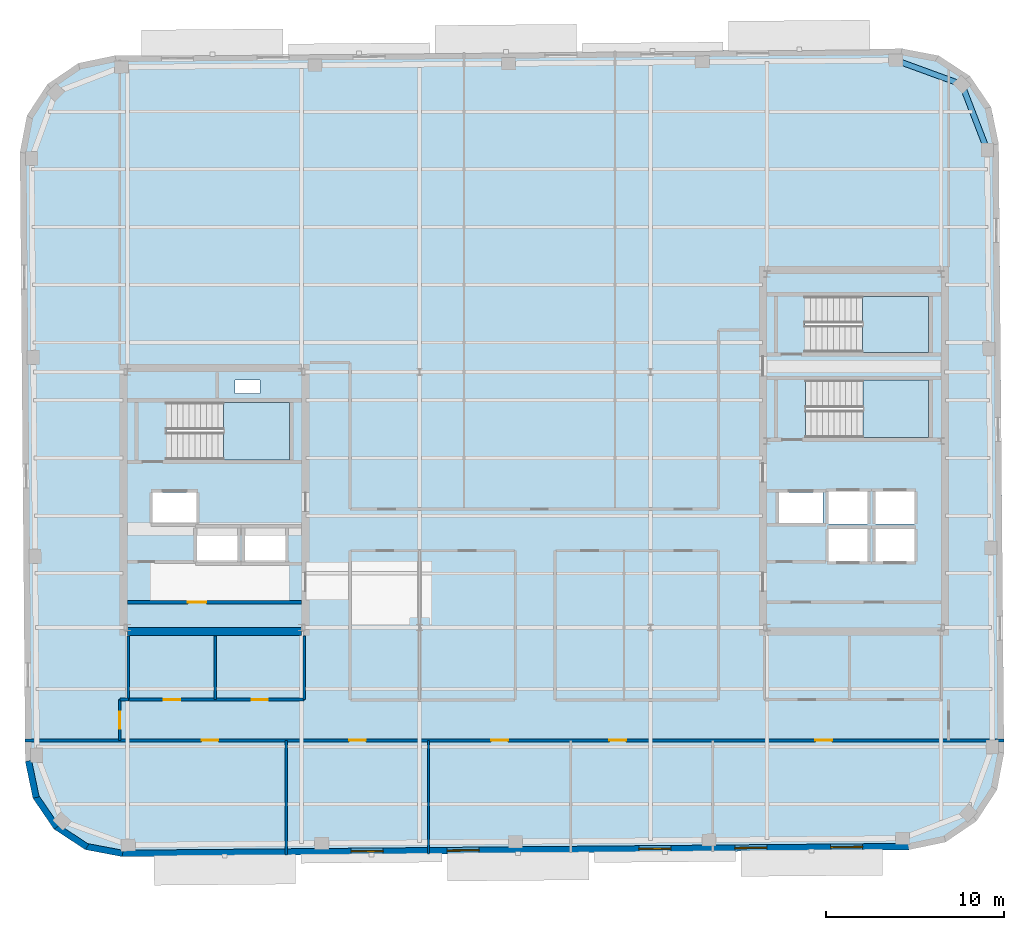
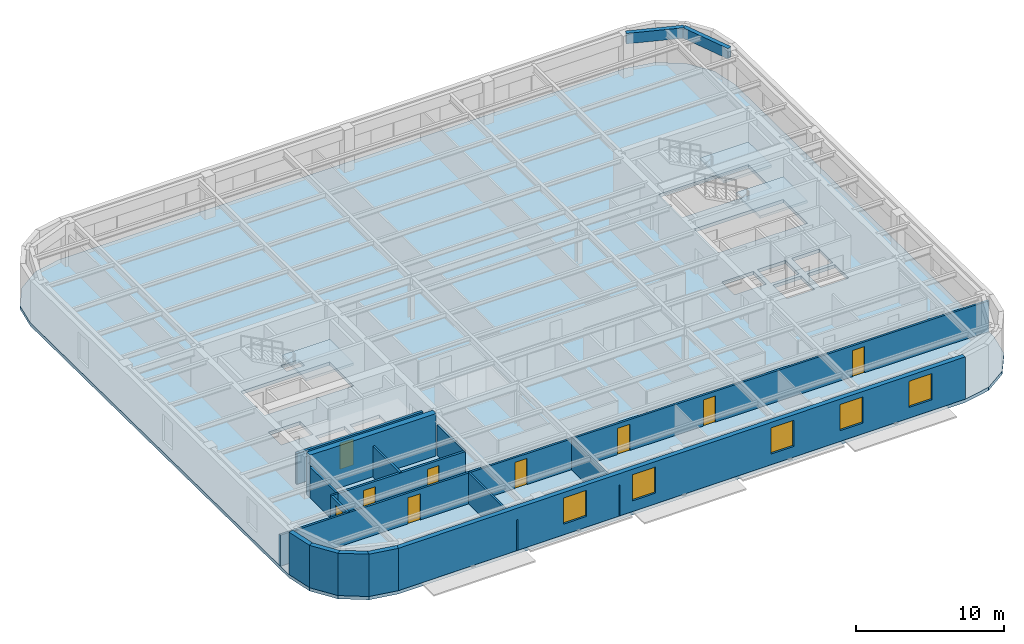
# One storey, part 6 of 13: 16 walls, 9 doors, 5 windows, 4 slabs, 2 beams, 14 openings, 3 elements without a shape of their own.
"""IFC4 building model written with IfcOpenShell, lengths in metres."""

from ifc_helpers import new_model, si_unit, direction, frame, frame_2d, origin, origin_2d, place, context, subcontext, project, spatial, polyline, rectangle, hollow_rectangle, outline, extrude, material, layer, layer_set, material_profile, profile_set, type_object, element, fill, aggregate, save


model = new_model("IFC4")

# Units and contexts
model_context = context("Model", 3, precision=1e-05, world=origin(), true_north=direction((0.0, 1.0)))
body_context = subcontext(model_context, "Body", "Model", "MODEL_VIEW")
ifc_project = project(units=[si_unit("LENGTHUNIT", "METRE"), si_unit("AREAUNIT", "SQUARE_METRE"), si_unit("VOLUMEUNIT", "CUBIC_METRE"), si_unit("PLANEANGLEUNIT", "RADIAN"), si_unit("MASSUNIT", "GRAM", prefix="KILO")], contexts=[model_context])

# Site, building, storey
site_placement = place(None, origin())
site = spatial("IfcSite", under=ifc_project, at=site_placement, CompositionType="ELEMENT")
building_placement = place(site_placement, origin())
building = spatial("IfcBuilding", under=site, at=building_placement, Name="Kolvaren Arena Tower", CompositionType="ELEMENT")
storey_placement = place(building_placement, frame((0.0, 0.0, 286.14990234375)))
storey = spatial("IfcBuildingStorey", under=building, at=storey_placement, Name="L70", CompositionType="ELEMENT", Elevation=286.14990234375)

# Beams
ifc_material_1 = material(Name="Steel CSA G40.21 350WT", Category="steel")
ifc_material_profile = material_profile(ifc_material_1, hollow_rectangle(XDim=0.320068359375, YDim=0.860107421875, WallThickness=0.01806640625, at=origin_2d()), Name="HSS 860x320x18")
ifc_profile_set = profile_set([ifc_material_profile], Name="Steel CSA G40.21 350WT")
beam_type = type_object("IfcBeamType", Name="SPAND-02", PredefinedType="SPANDREL", material=ifc_profile_set)
for number, where, z_axis, x_axis, name in (
    (1, (62.952392578125, 46.333984375, 3.050048828125), (-0.359383792094, 0.933189846698, 0.0), (-0.933189846698, -0.359383792094, 0.0), "Perimeter Spandrel Beam (L70)"),
    (2, (61.52880859375, 50.030517578125, 3.050048828125), (-0.939313819882, 0.343059102458, 0.0), (-0.343059102458, -0.939313819882, 0.0), "Perimeter Spandrel Beam (L70)"),
):
    element("IfcBeam", number, at=place(storey_placement, frame(where, z_axis=z_axis, x_axis=x_axis)), inside=storey, type_object=beam_type, Name=name, PredefinedType="SPANDREL", context=body_context, shape_type="SweptSolid", body=[
        extrude(hollow_rectangle(XDim=0.320068359375, YDim=0.860107421875, WallThickness=0.01806640625, at=origin_2d()), origin(), (0.0, 0.0, 1.0), 3.961181640625),
    ])

# Stair, slab
ifc_material_2 = material(Name="Concrete 45 MPa", Category="concrete")
stair_type_1 = type_object("IfcStairType", Name="STAIR-CORE-165", PredefinedType="HALF_TURN_STAIR", material=ifc_material_2)
stair_1_placement = place(storey_placement, origin())
stair_1 = element("IfcStair", 3, at=stair_1_placement, inside=storey, type_object=stair_type_1, Name="L70 ST-W1", PredefinedType="HALF_TURN_STAIR")
ifc_layer_1 = layer(ifc_material_2, 0.199951171875)
ifc_layer_set_1 = layer_set([ifc_layer_1], Name="Concrete 45 MPa")
slab_type_1 = type_object("IfcSlabType", Name="SLAB-LAND", PredefinedType="LANDING", material=ifc_layer_set_1)
slab_1_placement = place(storey_placement, frame((0.0, 0.0, 1.675048828125)))
slab_1 = element("IfcSlab", 4, at=slab_1_placement, type_object=slab_type_1, Name="ST-W1 landing 1", PredefinedType="LANDING", context=body_context, shape_type="SweptSolid", body=[
    extrude(outline(polyline([(19.9599609375, 28.89990234375), (23.659912109375, 28.89990234375), (23.659912109375, 32.1298828125), (19.9599609375, 32.1298828125), (19.9599609375, 28.89990234375)])), origin(), (0.0, 0.0, 1.0), 0.199951171875),
])
aggregate(stair_1, [slab_1])

stair_2_placement = place(storey_placement, origin())
stair_2 = element("IfcStair", 5, at=stair_2_placement, inside=storey, type_object=stair_type_1, Name="L70 ST-E1", PredefinedType="HALF_TURN_STAIR")
slab_2_placement = place(storey_placement, frame((0.0, 0.0, 1.675048828125)))
slab_2 = element("IfcSlab", 6, at=slab_2_placement, type_object=slab_type_1, Name="ST-E1 landing 1", PredefinedType="LANDING", context=body_context, shape_type="SweptSolid", body=[
    extrude(outline(polyline([(55.9599609375, 30.14990234375), (59.659912109375, 30.14990234375), (59.659912109375, 33.3798828125), (55.9599609375, 33.3798828125), (55.9599609375, 30.14990234375)])), origin(), (0.0, 0.0, 1.0), 0.199951171875),
])
aggregate(stair_2, [slab_2])

stair_type_2 = type_object("IfcStairType", Name="STAIR-CORE-150", PredefinedType="HALF_TURN_STAIR", material=ifc_material_2)
stair_3_placement = place(storey_placement, origin())
stair_3 = element("IfcStair", 7, at=stair_3_placement, inside=storey, type_object=stair_type_2, Name="L70 ST-E2", PredefinedType="HALF_TURN_STAIR")
slab_3_placement = place(storey_placement, frame((0.0, 0.0, 1.675048828125)))
slab_3 = element("IfcSlab", 8, at=slab_3_placement, type_object=slab_type_1, Name="ST-E2 landing 1", PredefinedType="LANDING", context=body_context, shape_type="SweptSolid", body=[
    extrude(outline(polyline([(55.919921875, 34.949951171875), (59.659912109375, 34.949951171875), (59.659912109375, 38.10009765625), (55.919921875, 38.10009765625), (55.919921875, 34.949951171875)])), origin(), (0.0, 0.0, 1.0), 0.199951171875),
])
aggregate(stair_3, [slab_3])

# Slab
ifc_layer_2 = layer(ifc_material_2, 0.27001953125)
ifc_layer_set_2 = layer_set([ifc_layer_2], Name="Concrete 45 MPa")
slab_type_2 = type_object("IfcSlabType", Name="SLAB-OFF2", PredefinedType="FLOOR", material=ifc_layer_set_2)
slab_4_placement = place(storey_placement, frame((0.0, 0.0, -0.27001953125)))
element("IfcSlab", 9, at=slab_4_placement, inside=storey, type_object=slab_type_2, Name="L70 Primary Structural Slab", PredefinedType="FLOOR", context=body_context, shape_type="SweptSolid", body=[
    extrude(outline(polyline([(58.5458984375, 6.944091796875), (60.60888671875, 7.373291015625), (62.350341796875, 8.55908203125), (63.505615234375, 10.321044921875), (63.898681640625, 12.39111328125), (63.599365234375, 46.689697265625), (63.170166015625, 48.752685546875), (61.984375, 50.494140625), (60.222412109375, 51.6494140625), (58.15234375, 52.04248046875), (13.85400390625, 51.65576171875), (11.791259765625, 51.226806640625), (10.049560546875, 50.041015625), (8.894287109375, 48.27880859375), (8.50146484375, 46.208984375), (8.80078125, 11.91015625), (9.229736328125, 9.847412109375), (10.41552734375, 8.105712890625), (12.177490234375, 6.95068359375), (14.24755859375, 6.5576171875), (58.5458984375, 6.944091796875)]), holes=[polyline([(20.739990234375, 23.135009765625), (18.4599609375, 23.135009765625), (18.4599609375, 25.06494140625), (20.739990234375, 25.06494140625), (20.739990234375, 23.135009765625)]), polyline([(21.159912109375, 23.135009765625), (21.159912109375, 25.06494140625), (23.43994140625, 25.06494140625), (23.43994140625, 23.135009765625), (21.159912109375, 23.135009765625)]), polyline([(56.2099609375, 23.18505859375), (54.030029296875, 23.18505859375), (54.030029296875, 25.014892578125), (56.2099609375, 25.014892578125), (56.2099609375, 23.18505859375)]), polyline([(56.669921875, 23.18505859375), (56.669921875, 25.014892578125), (58.85009765625, 25.014892578125), (58.85009765625, 23.18505859375), (56.669921875, 23.18505859375)]), polyline([(54.030029296875, 25.284912109375), (54.030029296875, 27.114990234375), (56.2099609375, 27.114990234375), (56.2099609375, 25.284912109375), (54.030029296875, 25.284912109375)]), polyline([(58.85009765625, 25.284912109375), (56.669921875, 25.284912109375), (56.669921875, 27.114990234375), (58.85009765625, 27.114990234375), (58.85009765625, 25.284912109375)]), polyline([(15.9599609375, 25.3349609375), (15.9599609375, 27.06494140625), (18.43994140625, 27.06494140625), (18.43994140625, 25.3349609375), (15.9599609375, 25.3349609375)]), polyline([(53.699951171875, 25.3349609375), (51.219970703125, 25.3349609375), (51.219970703125, 27.06494140625), (53.699951171875, 27.06494140625), (53.699951171875, 25.3349609375)]), polyline([(16.735107421875, 28.89990234375), (16.735107421875, 32.1298828125), (23.659912109375, 32.1298828125), (23.659912109375, 28.89990234375), (16.735107421875, 28.89990234375)]), polyline([(52.735107421875, 30.14990234375), (52.735107421875, 33.3798828125), (59.659912109375, 33.3798828125), (59.659912109375, 30.14990234375), (52.735107421875, 30.14990234375)]), polyline([(20.60009765625, 32.6201171875), (20.60009765625, 33.39990234375), (22.0, 33.39990234375), (22.0, 32.6201171875), (20.60009765625, 32.6201171875)]), polyline([(52.695068359375, 34.949951171875), (52.695068359375, 38.10009765625), (59.659912109375, 38.10009765625), (59.659912109375, 34.949951171875), (52.695068359375, 34.949951171875)])]), origin(), (0.0, 0.0, 1.0), 0.27001953125),
])

# Wall, openings, doors
ifc_material_3 = material(Name="Gypsum board acoustic assembly", Category="gypsum")
ifc_layer_3 = layer(ifc_material_3, 0.159912109375)
ifc_layer_set_3 = layer_set([ifc_layer_3], Name="Gypsum board acoustic assembly")
wall_type_1 = type_object("IfcWallType", Name="CORR-160", PredefinedType="PARTITIONING", material=ifc_layer_set_3)
wall_1_placement = place(storey_placement, frame((8.790283203125, 13.10009765625, 0.0), z_axis=(0.0, 0.0, 1.0), x_axis=(1.0, 0.0, 0.0)))
wall_1 = element("IfcWall", 10, at=wall_1_placement, inside=storey, type_object=wall_type_1, Name="Interior Partition Wall (L70)", PredefinedType="PARTITIONING", context=body_context, shape_type="SweptSolid", body=[
    extrude(rectangle(XDim=55.10205078125, YDim=0.159912109375, at=frame_2d((27.551025390625, 0.0))), origin(), (0.0, 0.0, 1.0), 2.5400390625),
])
opening_1_placement = place(wall_1_placement, frame((9.934814453125, 0.0, 0.0)))
opening_1 = element("IfcOpeningElement", 11, at=opening_1_placement, cuts=wall_1, Name="Opening D05", PredefinedType="OPENING", context=body_context, shape_type="SweptSolid", body=[
    extrude(rectangle(XDim=0.949951171875, YDim=2.14990234375, at=frame_2d((0.47509765625, 1.074951171875))), frame((0.0, 0.08984375, 0.0), z_axis=(0.0, -1.0, 0.0), x_axis=(1.0, 0.0, 0.0)), (0.0, 0.0, 1.0), 0.179931640625),
])
opening_2_placement = place(wall_1_placement, frame((18.234619140625, 0.0, 0.0)))
opening_2 = element("IfcOpeningElement", 12, at=opening_2_placement, cuts=wall_1, Name="Opening D05", PredefinedType="OPENING", context=body_context, shape_type="SweptSolid", body=[
    extrude(rectangle(XDim=0.949951171875, YDim=2.14990234375, at=frame_2d((0.47509765625, 1.074951171875))), frame((0.0, 0.08984375, 0.0), z_axis=(0.0, -1.0, 0.0), x_axis=(1.0, 0.0, 0.0)), (0.0, 0.0, 1.0), 0.179931640625),
])
opening_3_placement = place(wall_1_placement, frame((26.234619140625, 0.0, 0.0)))
opening_3 = element("IfcOpeningElement", 13, at=opening_3_placement, cuts=wall_1, Name="Opening D05", PredefinedType="OPENING", context=body_context, shape_type="SweptSolid", body=[
    extrude(rectangle(XDim=0.949951171875, YDim=2.14990234375, at=frame_2d((0.47509765625, 1.074951171875))), frame((0.0, 0.08984375, 0.0), z_axis=(0.0, -1.0, 0.0), x_axis=(1.0, 0.0, 0.0)), (0.0, 0.0, 1.0), 0.179931640625),
])
opening_4_placement = place(wall_1_placement, frame((32.884765625, 0.0, 0.0)))
opening_4 = element("IfcOpeningElement", 14, at=opening_4_placement, cuts=wall_1, Name="Opening D05", PredefinedType="OPENING", context=body_context, shape_type="SweptSolid", body=[
    extrude(rectangle(XDim=0.949951171875, YDim=2.14990234375, at=frame_2d((0.47509765625, 1.074951171875))), frame((0.0, 0.08984375, 0.0), z_axis=(0.0, -1.0, 0.0), x_axis=(1.0, 0.0, 0.0)), (0.0, 0.0, 1.0), 0.179931640625),
])
opening_5_placement = place(wall_1_placement, frame((44.484619140625, 0.0, 0.0)))
opening_5 = element("IfcOpeningElement", 15, at=opening_5_placement, cuts=wall_1, Name="Opening D05", PredefinedType="OPENING", context=body_context, shape_type="SweptSolid", body=[
    extrude(rectangle(XDim=0.949951171875, YDim=2.14990234375, at=frame_2d((0.47509765625, 1.074951171875))), frame((0.0, 0.08984375, 0.0), z_axis=(0.0, -1.0, 0.0), x_axis=(1.0, 0.0, 0.0)), (0.0, 0.0, 1.0), 0.179931640625),
])
ifc_material_4 = material(Name="Solid-core oak acoustic office door", Category="wood")
door_type_1 = type_object("IfcDoorType", Name="DOOR-OF-095", OperationType="NOTDEFINED", PredefinedType="DOOR", material=ifc_material_4)
door_1_placement = place(opening_1_placement, origin())
door_1 = element("IfcDoor", 16, at=door_1_placement, inside=storey, type_object=door_type_1, Name="Wellness Room Door (L70)", OperationType="SINGLE_SWING_RIGHT", OverallHeight=2.14990234375, OverallWidth=0.949951171875, PredefinedType="DOOR", context=body_context, shape_type="SweptSolid", body=[
    extrude(rectangle(XDim=0.949951171875, YDim=2.14990234375, at=frame_2d((0.47509765625, 1.074951171875))), frame((0.0, 0.02490234375, 0.0), z_axis=(0.0, -1.0, 0.0), x_axis=(1.0, 0.0, 0.0)), (0.0, 0.0, 1.0), 0.050048828125),
])
fill(opening_1, door_1)
door_2_placement = place(opening_2_placement, origin())
door_2 = element("IfcDoor", 17, at=door_2_placement, inside=storey, type_object=door_type_1, Name="Training Seminar Room Door (L70)", OperationType="SINGLE_SWING_LEFT", OverallHeight=2.14990234375, OverallWidth=0.949951171875, PredefinedType="DOOR", context=body_context, shape_type="SweptSolid", body=[
    extrude(rectangle(XDim=0.949951171875, YDim=2.14990234375, at=frame_2d((0.47509765625, 1.074951171875))), frame((0.0, 0.02490234375, 0.0), z_axis=(0.0, -1.0, 0.0), x_axis=(1.0, 0.0, 0.0)), (0.0, 0.0, 1.0), 0.050048828125),
])
fill(opening_2, door_2)
door_3_placement = place(opening_3_placement, origin())
door_3 = element("IfcDoor", 18, at=door_3_placement, inside=storey, type_object=door_type_1, Name="Open Plan Office Door (L70)", OperationType="SINGLE_SWING_RIGHT", OverallHeight=2.14990234375, OverallWidth=0.949951171875, PredefinedType="DOOR", context=body_context, shape_type="SweptSolid", body=[
    extrude(rectangle(XDim=0.949951171875, YDim=2.14990234375, at=frame_2d((0.47509765625, 1.074951171875))), frame((0.0, 0.02490234375, 0.0), z_axis=(0.0, -1.0, 0.0), x_axis=(1.0, 0.0, 0.0)), (0.0, 0.0, 1.0), 0.050048828125),
])
fill(opening_3, door_3)
door_4_placement = place(opening_4_placement, origin())
door_4 = element("IfcDoor", 19, at=door_4_placement, inside=storey, type_object=door_type_1, Name="Boardroom Door (L70)", OperationType="SINGLE_SWING_LEFT", OverallHeight=2.14990234375, OverallWidth=0.949951171875, PredefinedType="DOOR", context=body_context, shape_type="SweptSolid", body=[
    extrude(rectangle(XDim=0.949951171875, YDim=2.14990234375, at=frame_2d((0.47509765625, 1.074951171875))), frame((0.0, 0.02490234375, 0.0), z_axis=(0.0, -1.0, 0.0), x_axis=(1.0, 0.0, 0.0)), (0.0, 0.0, 1.0), 0.050048828125),
])
fill(opening_4, door_4)
door_5_placement = place(opening_5_placement, origin())
door_5 = element("IfcDoor", 20, at=door_5_placement, inside=storey, type_object=door_type_1, Name="Breakout Pantry and Kitchen Door (L70)", OperationType="SINGLE_SWING_RIGHT", OverallHeight=2.14990234375, OverallWidth=0.949951171875, PredefinedType="DOOR", context=body_context, shape_type="SweptSolid", body=[
    extrude(rectangle(XDim=0.949951171875, YDim=2.14990234375, at=frame_2d((0.47509765625, 1.074951171875))), frame((0.0, 0.02490234375, 0.0), z_axis=(0.0, -1.0, 0.0), x_axis=(1.0, 0.0, 0.0)), (0.0, 0.0, 1.0), 0.050048828125),
])
fill(opening_5, door_5)

# Wall, opening, door
wall_2_placement = place(storey_placement, frame((14.1201171875, 13.10009765625, 0.0), z_axis=(0.0, 0.0, 1.0), x_axis=(0.0, 1.0, 0.0)))
wall_2 = element("IfcWall", 21, at=wall_2_placement, inside=storey, type_object=wall_type_1, Name="Interior Partition Wall (L70)", PredefinedType="PARTITIONING", context=body_context, shape_type="SweptSolid", body=[
    extrude(rectangle(XDim=2.2998046875, YDim=0.159912109375, at=frame_2d((1.14990234375, 0.0))), origin(), (0.0, 0.0, 1.0), 2.5400390625),
])
opening_6_placement = place(wall_2_placement, frame((0.64990234375, 0.0, 0.0)))
opening_6 = element("IfcOpeningElement", 22, at=opening_6_placement, cuts=wall_2, Name="Opening D05", PredefinedType="OPENING", context=body_context, shape_type="SweptSolid", body=[
    extrude(rectangle(XDim=0.949951171875, YDim=2.14990234375, at=frame_2d((0.47509765625, 1.074951171875))), frame((0.0, 0.08984375, 0.0), z_axis=(0.0, -1.0, 0.0), x_axis=(1.0, 0.0, 0.0)), (0.0, 0.0, 1.0), 0.179931640625),
])
door_6_placement = place(opening_6_placement, origin())
door_6 = element("IfcDoor", 23, at=door_6_placement, inside=storey, type_object=door_type_1, Name="West Wing Office Door (L70)", OperationType="SINGLE_SWING_LEFT", OverallHeight=2.14990234375, OverallWidth=0.949951171875, PredefinedType="DOOR", context=body_context, shape_type="SweptSolid", body=[
    extrude(rectangle(XDim=0.949951171875, YDim=2.14990234375, at=frame_2d((0.47509765625, 1.074951171875))), frame((0.0, 0.02490234375, 0.0), z_axis=(0.0, -1.0, 0.0), x_axis=(1.0, 0.0, 0.0)), (0.0, 0.0, 1.0), 0.050048828125),
])
fill(opening_6, door_6)

# Walls
wall_3_placement = place(storey_placement, frame((14.1201171875, 15.39990234375, 0.0), z_axis=(0.0, 0.0, 1.0), x_axis=(1.0, 0.0, 0.0)))
element("IfcWall", 24, at=wall_3_placement, inside=storey, type_object=wall_type_1, Name="Interior Partition Wall (L70)", PredefinedType="PARTITIONING", context=body_context, shape_type="SweptSolid", body=[
    extrude(rectangle(XDim=0.5, YDim=0.159912109375, at=frame_2d((0.25, 0.0))), origin(), (0.0, 0.0, 1.0), 2.5400390625),
])
ifc_material_5 = material(Name="Concrete 55 MPa", Category="concrete")
ifc_layer_4 = layer(ifc_material_5, 0.449951171875)
ifc_layer_set_4 = layer_set([ifc_layer_4], Name="Concrete 55 MPa")
wall_type_2 = type_object("IfcWallType", Name="CWALL-450", PredefinedType="SHEAR", material=ifc_layer_set_4)
wall_4_placement = place(storey_placement, frame((14.550048828125, 19.22509765625, -0.27001953125), z_axis=(0.0, 0.0, 1.0), x_axis=(1.0, 0.0, 0.0)))
element("IfcWall", 25, at=wall_4_placement, inside=storey, type_object=wall_type_2, Name="Core Shear Wall WC-SOUTH (L70)", PredefinedType="SHEAR", context=body_context, shape_type="SweptSolid", body=[
    extrude(rectangle(XDim=9.800048828125, YDim=0.449951171875, at=frame_2d((4.89990234375, 0.0))), origin(), (0.0, 0.0, 1.0), 3.75),
])
ifc_material_6 = material(Name="Precast concrete C50/60", Category="concrete")
ifc_layer_5 = layer(ifc_material_6, 0.360107421875)
ifc_layer_set_5 = layer_set([ifc_layer_5], Name="Precast concrete C50/60")
wall_type_3 = type_object("IfcWallType", Name="EXT-PIER2", PredefinedType="SOLIDWALL", material=ifc_layer_set_5)
wall_5_placement = place(storey_placement, frame((9.406005859375, 9.884033203125, 0.0), z_axis=(0.0, 0.0, 1.0), x_axis=(-0.203685893209, 0.979036289883, 0.0)))
element("IfcWall", 26, at=wall_5_placement, inside=storey, type_object=wall_type_3, Name="Exterior Precast Masonry-Frame Wall (L70)", PredefinedType="SOLIDWALL", context=body_context, shape_type="SweptSolid", body=[
    extrude(rectangle(XDim=2.107177734375, YDim=0.360107421875, at=frame_2d((1.0537109375, 0.0))), origin(), (0.0, 0.0, 1.0), 3.47998046875),
])
for number, where, z_axis, x_axis, name in (
    (27, (10.564453125, 8.20703125, 0.0), (0.0, 0.0, 1.0), (-0.56277581689, 0.826609569219, 0.0), "Exterior Precast Masonry-Frame Wall (L70)"),
    (28, (12.2763671875, 7.10107421875, 0.0), (0.0, 0.0, 1.0), (-0.836268756678, 0.548319766745, 0.0), "Exterior Precast Masonry-Frame Wall (L70)"),
):
    element("IfcWall", number, at=place(storey_placement, frame(where, z_axis=z_axis, x_axis=x_axis)), inside=storey, type_object=wall_type_3, Name=name, PredefinedType="SOLIDWALL", context=body_context, shape_type="SweptSolid", body=[
        extrude(rectangle(XDim=2.10693359375, YDim=0.360107421875, at=frame_2d((1.053466796875, 0.0))), origin(), (0.0, 0.0, 1.0), 3.47998046875),
    ])
wall_6_placement = place(storey_placement, frame((14.28125, 6.734375, 0.0), z_axis=(0.0, 0.0, 1.0), x_axis=(-0.982445905584, 0.186547695246, 0.0)))
element("IfcWall", 29, at=wall_6_placement, inside=storey, type_object=wall_type_3, Name="Exterior Precast Masonry-Frame Wall (L70)", PredefinedType="SOLIDWALL", context=body_context, shape_type="SweptSolid", body=[
    extrude(rectangle(XDim=2.107177734375, YDim=0.360107421875, at=frame_2d((1.0537109375, 0.0))), origin(), (0.0, 0.0, 1.0), 3.47998046875),
])

# Wall, openings, windows
wall_7_placement = place(storey_placement, frame((58.544189453125, 7.124267578125, 0.0), z_axis=(0.0, 0.0, 1.0), x_axis=(-0.999961896442, -0.008729585516, 0.0)))
wall_7 = element("IfcWall", 30, at=wall_7_placement, inside=storey, type_object=wall_type_3, Name="Exterior Precast Masonry-Frame Wall (L70)", PredefinedType="SOLIDWALL", context=body_context, shape_type="SweptSolid", body=[
    extrude(rectangle(XDim=44.2998046875, YDim=0.360107421875, at=frame_2d((22.14990234375, 0.0))), origin(), (0.0, 0.0, 1.0), 3.47998046875),
])
opening_7_placement = place(wall_7_placement, frame((2.60009765625, 0.0, 0.8798828125)))
opening_7 = element("IfcOpeningElement", 31, at=opening_7_placement, cuts=wall_7, Name="Opening W02", PredefinedType="OPENING", context=body_context, shape_type="SweptSolid", body=[
    extrude(rectangle(XDim=1.800048828125, YDim=2.14990234375, at=frame_2d((0.89990234375, 1.074951171875))), frame((0.0, 0.18994140625, 0.0), z_axis=(0.0, -1.0, 0.0), x_axis=(1.0, 0.0, 0.0)), (0.0, 0.0, 1.0), 0.380126953125),
])
opening_8_placement = place(wall_7_placement, frame((8.0, 0.0, 0.8798828125)))
opening_8 = element("IfcOpeningElement", 32, at=opening_8_placement, cuts=wall_7, Name="Opening W02", PredefinedType="OPENING", context=body_context, shape_type="SweptSolid", body=[
    extrude(rectangle(XDim=1.800048828125, YDim=2.14990234375, at=frame_2d((0.89990234375, 1.074951171875))), frame((0.0, 0.18994140625, 0.0), z_axis=(0.0, -1.0, 0.0), x_axis=(1.0, 0.0, 0.0)), (0.0, 0.0, 1.0), 0.380126953125),
])
opening_9_placement = place(wall_7_placement, frame((13.39990234375, 0.0, 0.8798828125)))
opening_9 = element("IfcOpeningElement", 33, at=opening_9_placement, cuts=wall_7, Name="Opening W02", PredefinedType="OPENING", context=body_context, shape_type="SweptSolid", body=[
    extrude(rectangle(XDim=1.800048828125, YDim=2.14990234375, at=frame_2d((0.89990234375, 1.074951171875))), frame((0.0, 0.18994140625, 0.0), z_axis=(0.0, -1.0, 0.0), x_axis=(1.0, 0.0, 0.0)), (0.0, 0.0, 1.0), 0.380126953125),
])
opening_10_placement = place(wall_7_placement, frame((24.199951171875, 0.0, 0.8798828125)))
opening_10 = element("IfcOpeningElement", 34, at=opening_10_placement, cuts=wall_7, Name="Opening W02", PredefinedType="OPENING", context=body_context, shape_type="SweptSolid", body=[
    extrude(rectangle(XDim=1.800048828125, YDim=2.14990234375, at=frame_2d((0.89990234375, 1.074951171875))), frame((0.0, 0.18994140625, 0.0), z_axis=(0.0, -1.0, 0.0), x_axis=(1.0, 0.0, 0.0)), (0.0, 0.0, 1.0), 0.380126953125),
])
opening_11_placement = place(wall_7_placement, frame((29.60009765625, 0.0, 0.8798828125)))
opening_11 = element("IfcOpeningElement", 35, at=opening_11_placement, cuts=wall_7, Name="Opening W02", PredefinedType="OPENING", context=body_context, shape_type="SweptSolid", body=[
    extrude(rectangle(XDim=1.800048828125, YDim=2.14990234375, at=frame_2d((0.89990234375, 1.074951171875))), frame((0.0, 0.18994140625, 0.0), z_axis=(0.0, -1.0, 0.0), x_axis=(1.0, 0.0, 0.0)), (0.0, 0.0, 1.0), 0.380126953125),
])
ifc_material_7 = material(Name="Triple-glazed low-E aluminium window", Category="aluminium")
window_type = type_object("IfcWindowType", Name="WIN-OFF-B", PartitioningType="DOUBLE_PANEL_VERTICAL", PredefinedType="WINDOW", material=ifc_material_7)
window_1_placement = place(opening_7_placement, origin())
window_1 = element("IfcWindow", 36, at=window_1_placement, inside=storey, type_object=window_type, Name="Punched Precast-Pier Window (L70)", OverallHeight=2.14990234375, OverallWidth=1.800048828125, PartitioningType="DOUBLE_PANEL_VERTICAL", PredefinedType="WINDOW", context=body_context, shape_type="SweptSolid", body=[
    extrude(rectangle(XDim=1.800048828125, YDim=2.14990234375, at=frame_2d((0.89990234375, 1.074951171875))), frame((0.0, 0.030029296875, 0.0), z_axis=(0.0, -1.0, 0.0), x_axis=(1.0, 0.0, 0.0)), (0.0, 0.0, 1.0), 0.06005859375),
])
fill(opening_7, window_1)
window_2_placement = place(opening_8_placement, origin())
window_2 = element("IfcWindow", 37, at=window_2_placement, inside=storey, type_object=window_type, Name="Punched Precast-Pier Window (L70)", OverallHeight=2.14990234375, OverallWidth=1.800048828125, PartitioningType="DOUBLE_PANEL_VERTICAL", PredefinedType="WINDOW", context=body_context, shape_type="SweptSolid", body=[
    extrude(rectangle(XDim=1.800048828125, YDim=2.14990234375, at=frame_2d((0.89990234375, 1.074951171875))), frame((0.0, 0.030029296875, 0.0), z_axis=(0.0, -1.0, 0.0), x_axis=(1.0, 0.0, 0.0)), (0.0, 0.0, 1.0), 0.06005859375),
])
fill(opening_8, window_2)
window_3_placement = place(opening_9_placement, origin())
window_3 = element("IfcWindow", 38, at=window_3_placement, inside=storey, type_object=window_type, Name="Punched Precast-Pier Window (L70)", OverallHeight=2.14990234375, OverallWidth=1.800048828125, PartitioningType="DOUBLE_PANEL_VERTICAL", PredefinedType="WINDOW", context=body_context, shape_type="SweptSolid", body=[
    extrude(rectangle(XDim=1.800048828125, YDim=2.14990234375, at=frame_2d((0.89990234375, 1.074951171875))), frame((0.0, 0.030029296875, 0.0), z_axis=(0.0, -1.0, 0.0), x_axis=(1.0, 0.0, 0.0)), (0.0, 0.0, 1.0), 0.06005859375),
])
fill(opening_9, window_3)
window_4_placement = place(opening_10_placement, origin())
window_4 = element("IfcWindow", 39, at=window_4_placement, inside=storey, type_object=window_type, Name="Punched Precast-Pier Window (L70)", OverallHeight=2.14990234375, OverallWidth=1.800048828125, PartitioningType="DOUBLE_PANEL_VERTICAL", PredefinedType="WINDOW", context=body_context, shape_type="SweptSolid", body=[
    extrude(rectangle(XDim=1.800048828125, YDim=2.14990234375, at=frame_2d((0.89990234375, 1.074951171875))), frame((0.0, 0.030029296875, 0.0), z_axis=(0.0, -1.0, 0.0), x_axis=(1.0, 0.0, 0.0)), (0.0, 0.0, 1.0), 0.06005859375),
])
fill(opening_10, window_4)
window_5_placement = place(opening_11_placement, origin())
window_5 = element("IfcWindow", 40, at=window_5_placement, inside=storey, type_object=window_type, Name="Punched Precast-Pier Window (L70)", OverallHeight=2.14990234375, OverallWidth=1.800048828125, PartitioningType="DOUBLE_PANEL_VERTICAL", PredefinedType="WINDOW", context=body_context, shape_type="SweptSolid", body=[
    extrude(rectangle(XDim=1.800048828125, YDim=2.14990234375, at=frame_2d((0.89990234375, 1.074951171875))), frame((0.0, 0.030029296875, 0.0), z_axis=(0.0, -1.0, 0.0), x_axis=(1.0, 0.0, 0.0)), (0.0, 0.0, 1.0), 0.06005859375),
])
fill(opening_11, window_5)

# Wall, opening, door
ifc_material_8 = material(Name="Concrete 40 MPa", Category="concrete")
ifc_layer_6 = layer(ifc_material_8, 0.199951171875)
ifc_layer_set_6 = layer_set([ifc_layer_6], Name="Concrete 40 MPa")
wall_type_4 = type_object("IfcWallType", Name="LOBBY-200", PredefinedType="SOLIDWALL", material=ifc_layer_set_6)
wall_8_placement = place(storey_placement, frame((14.550048828125, 20.8798828125, 0.0), z_axis=(0.0, 0.0, 1.0), x_axis=(1.0, 0.0, 0.0)))
wall_8 = element("IfcWall", 41, at=wall_8_placement, inside=storey, type_object=wall_type_4, Name="Core Shaft Wall (L70)", PredefinedType="SOLIDWALL", context=body_context, shape_type="SweptSolid", body=[
    extrude(rectangle(XDim=9.800048828125, YDim=0.199951171875, at=frame_2d((4.89990234375, 0.0))), origin(), (0.0, 0.0, 1.0), 2.5400390625),
])
opening_12_placement = place(wall_8_placement, frame((3.39990234375, 0.0, 0.0)))
opening_12 = element("IfcOpeningElement", 42, at=opening_12_placement, cuts=wall_8, Name="Opening D04", PredefinedType="OPENING", context=body_context, shape_type="SweptSolid", body=[
    extrude(rectangle(XDim=1.050048828125, YDim=2.14990234375, at=frame_2d((0.52490234375, 1.074951171875))), frame((0.0, 0.10986328125, 0.0), z_axis=(0.0, -1.0, 0.0), x_axis=(1.0, 0.0, 0.0)), (0.0, 0.0, 1.0), 0.219970703125),
])
ifc_material_9 = material(Name="Fire-rated steel lobby door", Category="steel")
door_type_2 = type_object("IfcDoorType", Name="DOOR-FF-105", OperationType="NOTDEFINED", PredefinedType="DOOR", material=ifc_material_9)
door_7_placement = place(opening_12_placement, origin())
door_7 = element("IfcDoor", 43, at=door_7_placement, inside=storey, type_object=door_type_2, Name="West IT Room Fire Door (L70)", OperationType="SINGLE_SWING_LEFT", OverallHeight=2.14990234375, OverallWidth=1.050048828125, PredefinedType="DOOR", context=body_context, shape_type="SweptSolid", body=[
    extrude(rectangle(XDim=1.050048828125, YDim=2.14990234375, at=frame_2d((0.52490234375, 1.074951171875))), frame((0.0, 0.02490234375, 0.0), z_axis=(0.0, -1.0, 0.0), x_axis=(1.0, 0.0, 0.0)), (0.0, 0.0, 1.0), 0.050048828125),
])
fill(opening_12, door_7)

# Walls
ifc_material_10 = material(Name="Gypsum board partition assembly", Category="gypsum")
ifc_layer_7 = layer(ifc_material_10, 0.135009765625)
ifc_layer_set_7 = layer_set([ifc_layer_7], Name="Gypsum board partition assembly")
wall_type_5 = type_object("IfcWallType", Name="PART-135", PredefinedType="PARTITIONING", material=ifc_layer_set_7)
wall_9_placement = place(storey_placement, frame((23.5, 6.63818359375, 0.0), z_axis=(0.0, 0.0, 1.0), x_axis=(0.0, 1.0, 0.0)))
element("IfcWall", 44, at=wall_9_placement, inside=storey, type_object=wall_type_5, Name="Interior Partition Wall (L70)", PredefinedType="PARTITIONING", context=body_context, shape_type="SweptSolid", body=[
    extrude(rectangle(XDim=6.4619140625, YDim=0.135009765625, at=frame_2d((3.23095703125, 0.0))), origin(), (0.0, 0.0, 1.0), 2.5400390625),
])
wall_10_placement = place(storey_placement, frame((31.5, 6.708251953125, 0.0), z_axis=(0.0, 0.0, 1.0), x_axis=(0.0, 1.0, 0.0)))
element("IfcWall", 45, at=wall_10_placement, inside=storey, type_object=wall_type_5, Name="Interior Partition Wall (L70)", PredefinedType="PARTITIONING", context=body_context, shape_type="SweptSolid", body=[
    extrude(rectangle(XDim=6.391845703125, YDim=0.135009765625, at=frame_2d((3.19580078125, 0.0))), origin(), (0.0, 0.0, 1.0), 2.5400390625),
])
ifc_material_11 = material(Name="Moisture-resistant gypsum assembly", Category="gypsum")
ifc_layer_8 = layer(ifc_material_11, 0.14990234375)
ifc_layer_set_8 = layer_set([ifc_layer_8], Name="Moisture-resistant gypsum assembly")
wall_type_6 = type_object("IfcWallType", Name="WETW-150", PredefinedType="PARTITIONING", material=ifc_layer_set_8)
wall_11_placement = place(storey_placement, frame((19.5, 15.39990234375, 0.0), z_axis=(0.0, 0.0, 1.0), x_axis=(0.0, 1.0, 0.0)))
element("IfcWall", 46, at=wall_11_placement, inside=storey, type_object=wall_type_6, Name="Interior Partition Wall (L70)", PredefinedType="PARTITIONING", context=body_context, shape_type="SweptSolid", body=[
    extrude(rectangle(XDim=3.580078125, YDim=0.14990234375, at=frame_2d((1.7900390625, 0.0))), origin(), (0.0, 0.0, 1.0), 2.5400390625),
])

# Wall, openings, doors
wall_12_placement = place(storey_placement, frame((14.60009765625, 15.39990234375, 0.0), z_axis=(0.0, 0.0, 1.0), x_axis=(1.0, 0.0, 0.0)))
wall_12 = element("IfcWall", 47, at=wall_12_placement, inside=storey, type_object=wall_type_6, Name="Interior Partition Wall (L70)", PredefinedType="PARTITIONING", context=body_context, shape_type="SweptSolid", body=[
    extrude(rectangle(XDim=9.89990234375, YDim=0.179931640625, at=frame_2d((4.949951171875, 0.0))), origin(), (0.0, 0.0, 1.0), 2.5400390625),
])
opening_13_placement = place(wall_12_placement, frame((1.989990234375, 0.0, 0.0)))
opening_13 = element("IfcOpeningElement", 48, at=opening_13_placement, cuts=wall_12, Name="Opening D07", PredefinedType="OPENING", context=body_context, shape_type="SweptSolid", body=[
    extrude(rectangle(XDim=0.919921875, YDim=2.10009765625, at=frame_2d((0.4599609375, 1.050048828125))), frame((0.0, 0.099853515625, 0.0), z_axis=(0.0, -1.0, 0.0), x_axis=(1.0, 0.0, 0.0)), (0.0, 0.0, 1.0), 0.199951171875),
])
opening_14_placement = place(wall_12_placement, frame((6.93994140625, 0.0, 0.0)))
opening_14 = element("IfcOpeningElement", 49, at=opening_14_placement, cuts=wall_12, Name="Opening D07", PredefinedType="OPENING", context=body_context, shape_type="SweptSolid", body=[
    extrude(rectangle(XDim=0.919921875, YDim=2.10009765625, at=frame_2d((0.4599609375, 1.050048828125))), frame((0.0, 0.099853515625, 0.0), z_axis=(0.0, -1.0, 0.0), x_axis=(1.0, 0.0, 0.0)), (0.0, 0.0, 1.0), 0.199951171875),
])
ifc_material_12 = material(Name="Laminate universal washroom door", Category="wood")
door_type_3 = type_object("IfcDoorType", Name="DOOR-WC-092", OperationType="NOTDEFINED", PredefinedType="DOOR", material=ifc_material_12)
door_8_placement = place(opening_13_placement, origin())
door_8 = element("IfcDoor", 50, at=door_8_placement, inside=storey, type_object=door_type_3, Name="Universal Barrier-Free Washroom Door (L70)", OperationType="SINGLE_SWING_RIGHT", OverallHeight=2.10009765625, OverallWidth=0.919921875, PredefinedType="DOOR", context=body_context, shape_type="SweptSolid", body=[
    extrude(rectangle(XDim=0.919921875, YDim=2.10009765625, at=frame_2d((0.4599609375, 1.050048828125))), frame((0.0, 0.02490234375, 0.0), z_axis=(0.0, -1.0, 0.0), x_axis=(1.0, 0.0, 0.0)), (0.0, 0.0, 1.0), 0.050048828125),
])
fill(opening_13, door_8)
door_9_placement = place(opening_14_placement, origin())
door_9 = element("IfcDoor", 51, at=door_9_placement, inside=storey, type_object=door_type_3, Name="Gender-Neutral Washroom Door (L70)", OperationType="SINGLE_SWING_LEFT", OverallHeight=2.10009765625, OverallWidth=0.919921875, PredefinedType="DOOR", context=body_context, shape_type="SweptSolid", body=[
    extrude(rectangle(XDim=0.919921875, YDim=2.10009765625, at=frame_2d((0.4599609375, 1.050048828125))), frame((0.0, 0.02490234375, 0.0), z_axis=(0.0, -1.0, 0.0), x_axis=(1.0, 0.0, 0.0)), (0.0, 0.0, 1.0), 0.050048828125),
])
fill(opening_14, door_9)

# Walls
for number, where, z_axis, x_axis, name in (
    (52, (14.60009765625, 15.39990234375, 0.0), (0.0, 0.0, 1.0), (0.0, 1.0, 0.0), "Interior Partition Wall (L70)"),
    (53, (24.5, 15.39990234375, 0.0), (0.0, 0.0, 1.0), (0.0, 1.0, 0.0), "Interior Partition Wall (L70)"),
):
    element("IfcWall", number, at=place(storey_placement, frame(where, z_axis=z_axis, x_axis=x_axis)), inside=storey, type_object=wall_type_6, Name=name, PredefinedType="PARTITIONING", context=body_context, shape_type="SweptSolid", body=[
        extrude(rectangle(XDim=3.580078125, YDim=0.14990234375, at=frame_2d((1.7900390625, 0.0))), origin(), (0.0, 0.0, 1.0), 2.5400390625),
    ])

save(model, "model.ifc")
